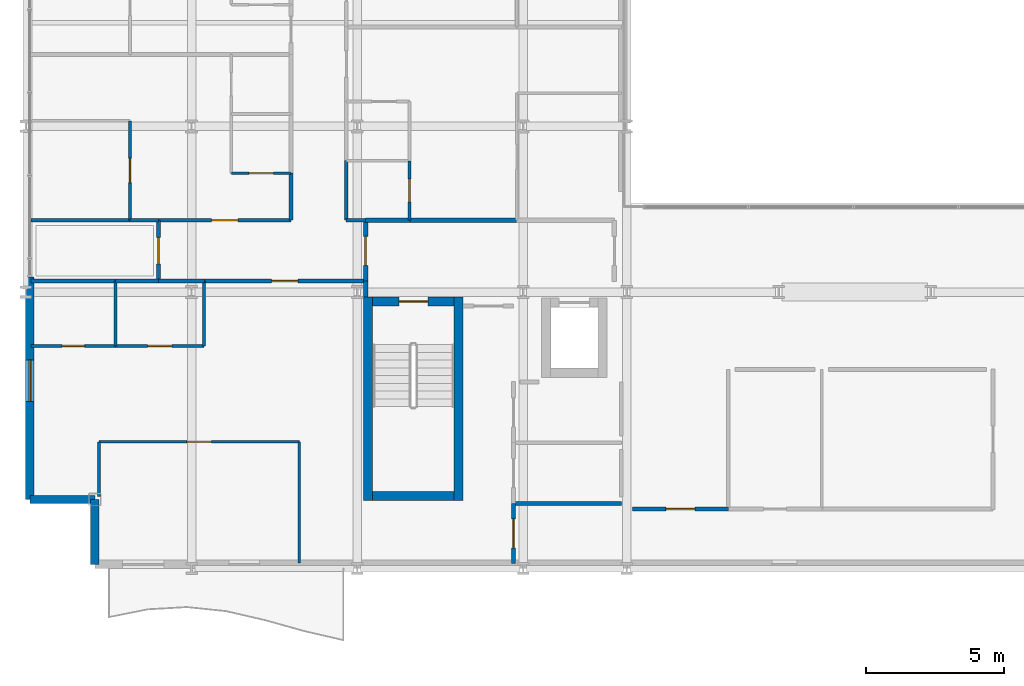
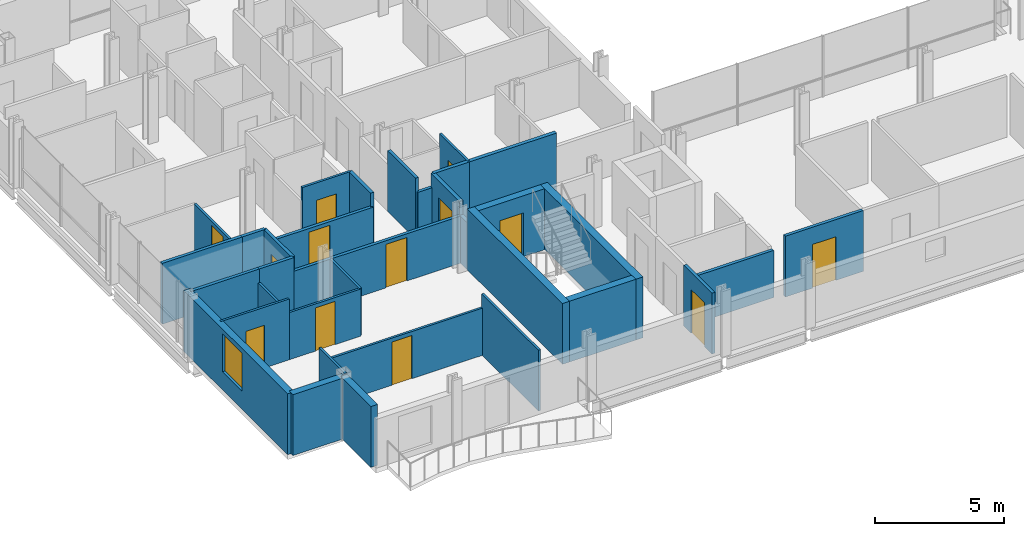
# One storey, part 31 of 40: 35 walls, 13 doors, 1 window, 14 openings.
"""IFC4 building model written with IfcOpenShell, lengths in metres."""

from ifc_helpers import new_model, si_unit, direction, frame, frame_2d, origin, place, context, subcontext, project, spatial, rectangle, extrude, material, layer, layer_set, type_object, element, fill, save


model = new_model("IFC4")

# Units and contexts
model_context = context("Model", 3, precision=1e-05, world=origin(), true_north=direction((0.0, 1.0)))
body_context = subcontext(model_context, "Body", "Model", "MODEL_VIEW")
ifc_project = project(units=[si_unit("LENGTHUNIT", "METRE"), si_unit("AREAUNIT", "SQUARE_METRE"), si_unit("VOLUMEUNIT", "CUBIC_METRE"), si_unit("PLANEANGLEUNIT", "RADIAN"), si_unit("MASSUNIT", "GRAM", prefix="KILO")], contexts=[model_context])

# Site, building, storey
site_placement = place(None, origin())
site = spatial("IfcSite", under=ifc_project, at=site_placement, CompositionType="ELEMENT")
building_placement = place(site_placement, origin())
building = spatial("IfcBuilding", under=site, at=building_placement, Name="Brevholm Reach", CompositionType="ELEMENT")
storey_placement = place(building_placement, frame((0.0, 0.0, 31.10009765625)))
storey = spatial("IfcBuildingStorey", under=building, at=storey_placement, Name="L07", CompositionType="ELEMENT", Elevation=31.10009765625)

# Walls
ifc_material_1 = material(Name="Concrete C60/75", Category="concrete")
ifc_layer_1 = layer(ifc_material_1, 0.320068359375)
ifc_layer_set_1 = layer_set([ifc_layer_1], Name="Concrete C60/75")
wall_type_1 = type_object("IfcWallType", Name="WAL-COR-320", PredefinedType="SHEAR", material=ifc_layer_set_1)
for number, where, z_axis, x_axis, name in (
    (1, (12.389892578125, 2.4599609375, 0.0), (0.0, 0.0, 1.0), (0.0, 1.0, 0.0), "L07 Escape Stair ST-1 Core Wall W"),
    (2, (15.659912109375, 2.4599609375, 0.0), (0.0, 0.0, 1.0), (0.0, 1.0, 0.0), "L07 Escape Stair ST-1 Core Wall E"),
):
    element("IfcWall", number, at=place(storey_placement, frame(where, z_axis=z_axis, x_axis=x_axis)), inside=storey, type_object=wall_type_1, Name=name, PredefinedType="SHEAR", context=body_context, shape_type="SweptSolid", body=[
        extrude(rectangle(XDim=7.360107421875, YDim=0.320068359375, at=frame_2d((3.68017578125, 0.0))), origin(), (0.0, 0.0, 1.0), 2.869873046875),
    ])
wall_1_placement = place(storey_placement, frame((12.550048828125, 2.6201171875, 0.0), z_axis=(0.0, 0.0, 1.0), x_axis=(1.0, 0.0, 0.0)))
element("IfcWall", 3, at=wall_1_placement, inside=storey, type_object=wall_type_1, Name="L07 Escape Stair ST-1 Core Wall S", PredefinedType="SHEAR", context=body_context, shape_type="SweptSolid", body=[
    extrude(rectangle(XDim=2.949951171875, YDim=0.320068359375, at=frame_2d((1.47509765625, 0.0))), origin(), (0.0, 0.0, 1.0), 2.869873046875),
])

# Wall, opening, door
wall_2_placement = place(storey_placement, frame((15.5, 9.659912109375, 0.0), z_axis=(0.0, 0.0, 1.0), x_axis=(-1.0, 0.0, 0.0)))
wall_2 = element("IfcWall", 4, at=wall_2_placement, inside=storey, type_object=wall_type_1, Name="L07 Escape Stair ST-1 Core Wall N", PredefinedType="SHEAR", context=body_context, shape_type="SweptSolid", body=[
    extrude(rectangle(XDim=2.949951171875, YDim=0.320068359375, at=frame_2d((1.47509765625, 0.0))), origin(), (0.0, 0.0, 1.0), 2.869873046875),
])
opening_1_placement = place(wall_2_placement, frame((0.949951171875, 0.0, 0.0)))
opening_1 = element("IfcOpeningElement", 5, at=opening_1_placement, cuts=wall_2, Name="Opening SD-ST-1", PredefinedType="OPENING", context=body_context, shape_type="SweptSolid", body=[
    extrude(rectangle(XDim=1.050048828125, YDim=2.06005859375, at=frame_2d((0.52490234375, 1.030029296875))), frame((0.0, 0.169921875, 0.0), z_axis=(0.0, -1.0, 0.0), x_axis=(1.0, 0.0, 0.0)), (0.0, 0.0, 1.0), 0.340087890625),
])
ifc_material_2 = material(Name="Hardwood-Lipped Steel-Core Fire and Smoke Door", Category="steel")
door_type_1 = type_object("IfcDoorType", Name="DOR-INT-FD60S", OperationType="NOTDEFINED", PredefinedType="DOOR", material=ifc_material_2)
door_1_placement = place(opening_1_placement, origin())
door_1 = element("IfcDoor", 6, at=door_1_placement, inside=storey, type_object=door_type_1, Name="L07 Protected Stair ST-1 Lobby Door", OperationType="SINGLE_SWING_LEFT", OverallHeight=2.06005859375, OverallWidth=1.050048828125, PredefinedType="DOOR", context=body_context, shape_type="SweptSolid", body=[
    extrude(rectangle(XDim=1.050048828125, YDim=2.06005859375, at=frame_2d((0.52490234375, 1.030029296875))), frame((0.0, 0.02490234375, 0.0), z_axis=(0.0, -1.0, 0.0), x_axis=(1.0, 0.0, 0.0)), (0.0, 0.0, 1.0), 0.050048828125),
])
fill(opening_1, door_1)

# Walls
ifc_material_3 = material(Name="Concrete C40/50", Category="concrete")
ifc_layer_2 = layer(ifc_material_3, 0.300048828125)
ifc_layer_set_2 = layer_set([ifc_layer_2], Name="Concrete C40/50")
wall_type_2 = type_object("IfcWallType", Name="WAL-EXT-300", PredefinedType="STANDARD", material=ifc_layer_set_2)
for number, where, z_axis, x_axis, name in (
    (7, (2.5, 2.5, 0.0), (0.0, 0.0, 1.0), (0.0, -1.0, 0.0), "L07 Facade Wall WAL-L07-CSW1"),
    (8, (0.14990234375, 2.5, 0.0), (0.0, 0.0, 1.0), (1.0, 0.0, 0.0), "L07 Facade Wall WAL-L07-CSW2"),
):
    element("IfcWall", number, at=place(storey_placement, frame(where, z_axis=z_axis, x_axis=x_axis)), inside=storey, type_object=wall_type_2, Name=name, PredefinedType="STANDARD", context=body_context, shape_type="SweptSolid", body=[
        extrude(rectangle(XDim=2.35009765625, YDim=0.300048828125, at=frame_2d((1.175048828125, 0.0))), origin(), (0.0, 0.0, 1.0), 2.869873046875),
    ])

# Wall, opening, window
wall_3_placement = place(storey_placement, frame((0.14990234375, 10.550048828125, 0.0), z_axis=(0.0, 0.0, 1.0), x_axis=(0.0, -1.0, 0.0)))
wall_3 = element("IfcWall", 9, at=wall_3_placement, inside=storey, type_object=wall_type_2, Name="L07 Facade Wall WAL-L07-W-S", PredefinedType="STANDARD", context=body_context, shape_type="SweptSolid", body=[
    extrude(rectangle(XDim=8.050048828125, YDim=0.300048828125, at=frame_2d((4.02490234375, 0.0))), origin(), (0.0, 0.0, 1.0), 2.869873046875),
])
opening_2_placement = place(wall_3_placement, frame((3.0, 0.0, 0.85009765625)))
opening_2 = element("IfcOpeningElement", 10, at=opening_2_placement, cuts=wall_3, Name="Opening WN-05", PredefinedType="OPENING", context=body_context, shape_type="SweptSolid", body=[
    extrude(rectangle(XDim=1.5, YDim=1.800048828125, at=frame_2d((0.75, 0.89990234375))), frame((0.0, 0.159912109375, 0.0), z_axis=(0.0, -1.0, 0.0), x_axis=(1.0, 0.0, 0.0)), (0.0, 0.0, 1.0), 0.320068359375),
])
ifc_material_4 = material(Name="Dark Anodised Aluminium and Solar-Control IGU Glass", Category="aluminium")
window_type = type_object("IfcWindowType", Name="WIN-RES-1500", PartitioningType="SINGLE_PANEL", PredefinedType="WINDOW", material=ifc_material_4)
window_placement = place(opening_2_placement, origin())
window = element("IfcWindow", 11, at=window_placement, inside=storey, type_object=window_type, Name="L07 Window WIN-L07-WS-1", OverallHeight=1.800048828125, OverallWidth=1.5, PartitioningType="SINGLE_PANEL", PredefinedType="WINDOW", context=body_context, shape_type="SweptSolid", body=[
    extrude(rectangle(XDim=1.5, YDim=1.800048828125, at=frame_2d((0.75, 0.89990234375))), frame((0.0, 0.030029296875, 0.0), z_axis=(0.0, -1.0, 0.0), x_axis=(1.0, 0.0, 0.0)), (0.0, 0.0, 1.0), 0.06005859375),
])
fill(opening_2, window)

# Wall
ifc_material_5 = material(Name="Moisture-Resistant Acoustic Gypsum Stud Partition 100 mm", Category="gypsum")
ifc_layer_3 = layer(ifc_material_5, 0.10009765625)
ifc_layer_set_3 = layer_set([ifc_layer_3], Name="Moisture-Resistant Acoustic Gypsum Stud Partition 100 mm")
wall_type_3 = type_object("IfcWallType", Name="WAL-PRT-100", PredefinedType="PARTITIONING", material=ifc_layer_set_3)
wall_4_placement = place(storey_placement, frame((3.25, 8.053955078125, 0.0), z_axis=(0.0, 0.0, 1.0), x_axis=(0.0, 1.0, 0.0)))
element("IfcWall", 12, at=wall_4_placement, inside=storey, type_object=wall_type_3, Name="L07 Internal Partition 070", PredefinedType="PARTITIONING", context=body_context, shape_type="SweptSolid", body=[
    extrude(rectangle(XDim=2.345947265625, YDim=0.10009765625, at=frame_2d((1.1728515625, 0.0))), origin(), (0.0, 0.0, 1.0), 2.224609375),
])

# Wall, opening, door
wall_5_placement = place(storey_placement, frame((0.199951171875, 8.053955078125, 0.0), z_axis=(0.0, 0.0, 1.0), x_axis=(1.0, 0.0, 0.0)))
wall_5 = element("IfcWall", 13, at=wall_5_placement, inside=storey, type_object=wall_type_3, Name="L07 Internal Partition 071", PredefinedType="PARTITIONING", context=body_context, shape_type="SweptSolid", body=[
    extrude(rectangle(XDim=3.050048828125, YDim=0.10009765625, at=frame_2d((1.52490234375, 0.0))), origin(), (0.0, 0.0, 1.0), 2.869873046875),
])
opening_3_placement = place(wall_5_placement, frame((1.114990234375, 0.0, 0.0)))
opening_3 = element("IfcOpeningElement", 14, at=opening_3_placement, cuts=wall_5, Name="Opening ID-03", PredefinedType="OPENING", context=body_context, shape_type="SweptSolid", body=[
    extrude(rectangle(XDim=0.820068359375, YDim=2.02001953125, at=frame_2d((0.41015625, 1.010009765625))), frame((0.0, 0.06005859375, 0.0), z_axis=(0.0, -1.0, 0.0), x_axis=(1.0, 0.0, 0.0)), (0.0, 0.0, 1.0), 0.1201171875),
])
ifc_material_6 = material(Name="Moisture-Resistant Painted Timber Internal Bathroom Door", Category="wood")
door_type_2 = type_object("IfcDoorType", Name="DOR-BATH-820", OperationType="NOTDEFINED", PredefinedType="DOOR", material=ifc_material_6)
door_2_placement = place(opening_3_placement, origin())
door_2 = element("IfcDoor", 15, at=door_2_placement, inside=storey, type_object=door_type_2, Name="L07 Internal Door 027", OperationType="SINGLE_SWING_RIGHT", OverallHeight=2.02001953125, OverallWidth=0.820068359375, PredefinedType="DOOR", context=body_context, shape_type="SweptSolid", body=[
    extrude(rectangle(XDim=0.820068359375, YDim=2.02001953125, at=frame_2d((0.41015625, 1.010009765625))), frame((0.0, 0.02490234375, 0.0), z_axis=(0.0, -1.0, 0.0), x_axis=(1.0, 0.0, 0.0)), (0.0, 0.0, 1.0), 0.050048828125),
])
fill(opening_3, door_2)

wall_6_placement = place(storey_placement, frame((3.25390625, 8.053955078125, 0.0), z_axis=(0.0, 0.0, 1.0), x_axis=(1.0, 0.0, 0.0)))
wall_6 = element("IfcWall", 16, at=wall_6_placement, inside=storey, type_object=wall_type_3, Name="L07 Internal Partition 073", PredefinedType="PARTITIONING", context=body_context, shape_type="SweptSolid", body=[
    extrude(rectangle(XDim=3.196044921875, YDim=0.10009765625, at=frame_2d((1.59814453125, 0.0))), origin(), (0.0, 0.0, 1.0), 2.224609375),
])
opening_4_placement = place(wall_6_placement, frame((1.157958984375, 0.0, 0.0)))
opening_4 = element("IfcOpeningElement", 17, at=opening_4_placement, cuts=wall_6, Name="Opening ID-01", PredefinedType="OPENING", context=body_context, shape_type="SweptSolid", body=[
    extrude(rectangle(XDim=0.8798828125, YDim=2.0400390625, at=frame_2d((0.43994140625, 1.02001953125))), frame((0.0, 0.06005859375, 0.0), z_axis=(0.0, -1.0, 0.0), x_axis=(1.0, 0.0, 0.0)), (0.0, 0.0, 1.0), 0.1201171875),
])
ifc_material_7 = material(Name="Lacquered Ash Solid-Core Acoustic Internal Door", Category="timber")
door_type_3 = type_object("IfcDoorType", Name="DOR-INT-880", OperationType="NOTDEFINED", PredefinedType="DOOR", material=ifc_material_7)
door_3_placement = place(opening_4_placement, origin())
door_3 = element("IfcDoor", 18, at=door_3_placement, inside=storey, type_object=door_type_3, Name="L07 Internal Door 028", OperationType="SINGLE_SWING_LEFT", OverallHeight=2.0400390625, OverallWidth=0.8798828125, PredefinedType="DOOR", context=body_context, shape_type="SweptSolid", body=[
    extrude(rectangle(XDim=0.8798828125, YDim=2.0400390625, at=frame_2d((0.43994140625, 1.02001953125))), frame((0.0, 0.02490234375, 0.0), z_axis=(0.0, -1.0, 0.0), x_axis=(1.0, 0.0, 0.0)), (0.0, 0.0, 1.0), 0.050048828125),
])
fill(opening_4, door_3)

# Walls
wall_7_placement = place(storey_placement, frame((6.449951171875, 8.053955078125, 0.0), z_axis=(0.0, 0.0, 1.0), x_axis=(0.0, 1.0, 0.0)))
element("IfcWall", 19, at=wall_7_placement, inside=storey, type_object=wall_type_3, Name="L07 Internal Partition 074", PredefinedType="PARTITIONING", context=body_context, shape_type="SweptSolid", body=[
    extrude(rectangle(XDim=2.342041015625, YDim=0.10009765625, at=frame_2d((1.1708984375, 0.0))), origin(), (0.0, 0.0, 1.0), 2.224609375),
])
wall_8_placement = place(storey_placement, frame((2.64990234375, 2.599365234375, 0.0), z_axis=(0.0, 0.0, 1.0), x_axis=(0.0, 1.0, 0.0)))
element("IfcWall", 20, at=wall_8_placement, inside=storey, type_object=wall_type_3, Name="L07 Internal Partition 076", PredefinedType="PARTITIONING", context=body_context, shape_type="SweptSolid", body=[
    extrude(rectangle(XDim=1.986572265625, YDim=0.10009765625, at=frame_2d((0.9931640625, 0.0))), origin(), (0.0, 0.0, 1.0), 2.869873046875),
])
wall_9_placement = place(storey_placement, frame((9.89990234375, 0.199951171875, 0.0), z_axis=(0.0, 0.0, 1.0), x_axis=(0.0, 1.0, 0.0)))
element("IfcWall", 21, at=wall_9_placement, inside=storey, type_object=wall_type_3, Name="L07 Internal Partition 077", PredefinedType="PARTITIONING", context=body_context, shape_type="SweptSolid", body=[
    extrude(rectangle(XDim=4.385986328125, YDim=0.10009765625, at=frame_2d((2.19287109375, 0.0))), origin(), (0.0, 0.0, 1.0), 2.869873046875),
])

# Wall, opening, door
wall_10_placement = place(storey_placement, frame((2.64990234375, 4.5859375, 0.0), z_axis=(0.0, 0.0, 1.0), x_axis=(1.0, 0.0, 0.0)))
wall_10 = element("IfcWall", 22, at=wall_10_placement, inside=storey, type_object=wall_type_3, Name="L07 Internal Partition 078", PredefinedType="PARTITIONING", context=body_context, shape_type="SweptSolid", body=[
    extrude(rectangle(XDim=7.25, YDim=0.10009765625, at=frame_2d((3.625, 0.0))), origin(), (0.0, 0.0, 1.0), 2.224609375),
])
opening_5_placement = place(wall_10_placement, frame((3.18505859375, 0.0, 0.0)))
opening_5 = element("IfcOpeningElement", 23, at=opening_5_placement, cuts=wall_10, Name="Opening ID-01", PredefinedType="OPENING", context=body_context, shape_type="SweptSolid", body=[
    extrude(rectangle(XDim=0.8798828125, YDim=2.0400390625, at=frame_2d((0.43994140625, 1.02001953125))), frame((0.0, 0.06005859375, 0.0), z_axis=(0.0, -1.0, 0.0), x_axis=(1.0, 0.0, 0.0)), (0.0, 0.0, 1.0), 0.1201171875),
])
door_4_placement = place(opening_5_placement, origin())
door_4 = element("IfcDoor", 24, at=door_4_placement, inside=storey, type_object=door_type_3, Name="L07 Internal Door 029", OperationType="SINGLE_SWING_RIGHT", OverallHeight=2.0400390625, OverallWidth=0.8798828125, PredefinedType="DOOR", context=body_context, shape_type="SweptSolid", body=[
    extrude(rectangle(XDim=0.8798828125, YDim=2.0400390625, at=frame_2d((0.43994140625, 1.02001953125))), frame((0.0, 0.02490234375, 0.0), z_axis=(0.0, -1.0, 0.0), x_axis=(1.0, 0.0, 0.0)), (0.0, 0.0, 1.0), 0.050048828125),
])
fill(opening_5, door_4)

wall_11_placement = place(storey_placement, frame((7.43798828125, 14.300048828125, 0.0), z_axis=(0.0, 0.0, 1.0), x_axis=(1.0, 0.0, 0.0)))
wall_11 = element("IfcWall", 25, at=wall_11_placement, inside=storey, type_object=wall_type_3, Name="L07 Internal Partition 094", PredefinedType="PARTITIONING", context=body_context, shape_type="SweptSolid", body=[
    extrude(rectangle(XDim=2.157958984375, YDim=0.10009765625, at=frame_2d((1.0791015625, 0.0))), origin(), (0.0, 0.0, 1.0), 2.869873046875),
])
opening_6_placement = place(wall_11_placement, frame((0.638916015625, 0.0, 0.0)))
opening_6 = element("IfcOpeningElement", 26, at=opening_6_placement, cuts=wall_11, Name="Opening ID-01", PredefinedType="OPENING", context=body_context, shape_type="SweptSolid", body=[
    extrude(rectangle(XDim=0.8798828125, YDim=2.0400390625, at=frame_2d((0.43994140625, 1.02001953125))), frame((0.0, 0.06005859375, 0.0), z_axis=(0.0, -1.0, 0.0), x_axis=(1.0, 0.0, 0.0)), (0.0, 0.0, 1.0), 0.1201171875),
])
door_5_placement = place(opening_6_placement, origin())
door_5 = element("IfcDoor", 27, at=door_5_placement, inside=storey, type_object=door_type_3, Name="L07 Internal Door 034", OperationType="SINGLE_SWING_LEFT", OverallHeight=2.0400390625, OverallWidth=0.8798828125, PredefinedType="DOOR", context=body_context, shape_type="SweptSolid", body=[
    extrude(rectangle(XDim=0.8798828125, YDim=2.0400390625, at=frame_2d((0.43994140625, 1.02001953125))), frame((0.0, 0.02490234375, 0.0), z_axis=(0.0, -1.0, 0.0), x_axis=(1.0, 0.0, 0.0)), (0.0, 0.0, 1.0), 0.050048828125),
])
fill(opening_6, door_5)

wall_12_placement = place(storey_placement, frame((3.77197265625, 12.60400390625, 0.0), z_axis=(0.0, 0.0, 1.0), x_axis=(0.0, 1.0, 0.0)))
wall_12 = element("IfcWall", 28, at=wall_12_placement, inside=storey, type_object=wall_type_3, Name="L07 Internal Partition 096", PredefinedType="PARTITIONING", context=body_context, shape_type="SweptSolid", body=[
    extrude(rectangle(XDim=3.595947265625, YDim=0.10009765625, at=frame_2d((1.7978515625, 0.0))), origin(), (0.0, 0.0, 1.0), 2.224609375),
])
opening_7_placement = place(wall_12_placement, frame((1.35791015625, 0.0, 0.0)))
opening_7 = element("IfcOpeningElement", 29, at=opening_7_placement, cuts=wall_12, Name="Opening ID-01", PredefinedType="OPENING", context=body_context, shape_type="SweptSolid", body=[
    extrude(rectangle(XDim=0.8798828125, YDim=2.0400390625, at=frame_2d((0.43994140625, 1.02001953125))), frame((0.0, 0.06005859375, 0.0), z_axis=(0.0, -1.0, 0.0), x_axis=(1.0, 0.0, 0.0)), (0.0, 0.0, 1.0), 0.1201171875),
])
door_6_placement = place(opening_7_placement, origin())
door_6 = element("IfcDoor", 30, at=door_6_placement, inside=storey, type_object=door_type_3, Name="L07 Internal Door 035", OperationType="SINGLE_SWING_RIGHT", OverallHeight=2.0400390625, OverallWidth=0.8798828125, PredefinedType="DOOR", context=body_context, shape_type="SweptSolid", body=[
    extrude(rectangle(XDim=0.8798828125, YDim=2.0400390625, at=frame_2d((0.43994140625, 1.02001953125))), frame((0.0, 0.02490234375, 0.0), z_axis=(0.0, -1.0, 0.0), x_axis=(1.0, 0.0, 0.0)), (0.0, 0.0, 1.0), 0.050048828125),
])
fill(opening_7, door_6)

wall_13_placement = place(storey_placement, frame((13.888916015625, 12.60400390625, 0.0), z_axis=(0.0, 0.0, 1.0), x_axis=(0.0, 1.0, 0.0)))
wall_13 = element("IfcWall", 31, at=wall_13_placement, inside=storey, type_object=wall_type_3, Name="L07 Internal Partition 116", PredefinedType="PARTITIONING", context=body_context, shape_type="SweptSolid", body=[
    extrude(rectangle(XDim=2.14599609375, YDim=0.10009765625, at=frame_2d((1.072998046875, 0.0))), origin(), (0.0, 0.0, 1.0), 2.869873046875),
])
opening_8_placement = place(wall_13_placement, frame((0.6630859375, 0.0, 0.0)))
opening_8 = element("IfcOpeningElement", 32, at=opening_8_placement, cuts=wall_13, Name="Opening ID-03", PredefinedType="OPENING", context=body_context, shape_type="SweptSolid", body=[
    extrude(rectangle(XDim=0.820068359375, YDim=2.02001953125, at=frame_2d((0.41015625, 1.010009765625))), frame((0.0, 0.06005859375, 0.0), z_axis=(0.0, -1.0, 0.0), x_axis=(1.0, 0.0, 0.0)), (0.0, 0.0, 1.0), 0.1201171875),
])
door_7_placement = place(opening_8_placement, origin())
door_7 = element("IfcDoor", 33, at=door_7_placement, inside=storey, type_object=door_type_2, Name="L07 Internal Door 042", OperationType="SINGLE_SWING_LEFT", OverallHeight=2.02001953125, OverallWidth=0.820068359375, PredefinedType="DOOR", context=body_context, shape_type="SweptSolid", body=[
    extrude(rectangle(XDim=0.820068359375, YDim=2.02001953125, at=frame_2d((0.41015625, 1.010009765625))), frame((0.0, 0.02490234375, 0.0), z_axis=(0.0, -1.0, 0.0), x_axis=(1.0, 0.0, 0.0)), (0.0, 0.0, 1.0), 0.050048828125),
])
fill(opening_8, door_7)

ifc_material_8 = material(Name="Twin-Stud Acoustic Fire-Rated Gypsum Partition 140 mm", Category="gypsum")
ifc_layer_4 = layer(ifc_material_8, 0.139892578125)
ifc_layer_set_4 = layer_set([ifc_layer_4], Name="Twin-Stud Acoustic Fire-Rated Gypsum Partition 140 mm")
wall_type_4 = type_object("IfcWallType", Name="WAL-PRT-140", PredefinedType="PARTITIONING", material=ifc_layer_set_4)
wall_14_placement = place(storey_placement, frame((21.949951171875, 2.14990234375, 0.0), z_axis=(0.0, 0.0, 1.0), x_axis=(1.0, 0.0, 0.0)))
wall_14 = element("IfcWall", 34, at=wall_14_placement, inside=storey, type_object=wall_type_4, Name="L07 Internal Partition 002", PredefinedType="PARTITIONING", context=body_context, shape_type="SweptSolid", body=[
    extrude(rectangle(XDim=3.4814453125, YDim=0.139892578125, at=frame_2d((1.74072265625, 0.0))), origin(), (0.0, 0.0, 1.0), 2.869873046875),
])
opening_9_placement = place(wall_14_placement, frame((1.2158203125, 0.0, 0.0)))
opening_9 = element("IfcOpeningElement", 35, at=opening_9_placement, cuts=wall_14, Name="Opening FD-01", PredefinedType="OPENING", context=body_context, shape_type="SweptSolid", body=[
    extrude(rectangle(XDim=1.050048828125, YDim=2.06005859375, at=frame_2d((0.52490234375, 1.030029296875))), frame((0.0, 0.079833984375, 0.0), z_axis=(0.0, -1.0, 0.0), x_axis=(1.0, 0.0, 0.0)), (0.0, 0.0, 1.0), 0.159912109375),
])
door_8_placement = place(opening_9_placement, origin())
door_8 = element("IfcDoor", 36, at=door_8_placement, inside=storey, type_object=door_type_1, Name="L07 Internal Door 002", OperationType="SINGLE_SWING_LEFT", OverallHeight=2.06005859375, OverallWidth=1.050048828125, PredefinedType="DOOR", context=body_context, shape_type="SweptSolid", body=[
    extrude(rectangle(XDim=1.050048828125, YDim=2.06005859375, at=frame_2d((0.52490234375, 1.030029296875))), frame((0.0, 0.02490234375, 0.0), z_axis=(0.0, -1.0, 0.0), x_axis=(1.0, 0.0, 0.0)), (0.0, 0.0, 1.0), 0.050048828125),
])
fill(opening_9, door_8)

wall_15_placement = place(storey_placement, frame((17.64990234375, 0.179931640625, 0.0), z_axis=(0.0, 0.0, 1.0), x_axis=(0.0, 1.0, 0.0)))
wall_15 = element("IfcWall", 37, at=wall_15_placement, inside=storey, type_object=wall_type_4, Name="L07 Internal Partition 007", PredefinedType="PARTITIONING", context=body_context, shape_type="SweptSolid", body=[
    extrude(rectangle(XDim=2.181396484375, YDim=0.139892578125, at=frame_2d((1.0908203125, 0.0))), origin(), (0.0, 0.0, 1.0), 2.869873046875),
])
opening_10_placement = place(wall_15_placement, frame((0.565673828125, 0.0, 0.0)))
opening_10 = element("IfcOpeningElement", 38, at=opening_10_placement, cuts=wall_15, Name="Opening FD-01", PredefinedType="OPENING", context=body_context, shape_type="SweptSolid", body=[
    extrude(rectangle(XDim=1.050048828125, YDim=2.06005859375, at=frame_2d((0.52490234375, 1.030029296875))), frame((0.0, 0.079833984375, 0.0), z_axis=(0.0, -1.0, 0.0), x_axis=(1.0, 0.0, 0.0)), (0.0, 0.0, 1.0), 0.159912109375),
])
door_9_placement = place(opening_10_placement, origin())
door_9 = element("IfcDoor", 39, at=door_9_placement, inside=storey, type_object=door_type_1, Name="L07 Internal Door 004", OperationType="SINGLE_SWING_LEFT", OverallHeight=2.06005859375, OverallWidth=1.050048828125, PredefinedType="DOOR", context=body_context, shape_type="SweptSolid", body=[
    extrude(rectangle(XDim=1.050048828125, YDim=2.06005859375, at=frame_2d((0.52490234375, 1.030029296875))), frame((0.0, 0.02490234375, 0.0), z_axis=(0.0, -1.0, 0.0), x_axis=(1.0, 0.0, 0.0)), (0.0, 0.0, 1.0), 0.050048828125),
])
fill(opening_10, door_9)

# Walls
wall_16_placement = place(storey_placement, frame((17.654052734375, 2.35009765625, 0.0), z_axis=(0.0, 0.0, 1.0), x_axis=(1.0, 0.0, 0.0)))
element("IfcWall", 40, at=wall_16_placement, inside=storey, type_object=wall_type_4, Name="L07 Internal Partition 011", PredefinedType="PARTITIONING", context=body_context, shape_type="SweptSolid", body=[
    extrude(rectangle(XDim=3.89599609375, YDim=0.139892578125, at=frame_2d((1.947998046875, 0.0))), origin(), (0.0, 0.0, 1.0), 2.224609375),
])
wall_17_placement = place(storey_placement, frame((4.800048828125, 10.39990234375, 0.0), z_axis=(0.0, 0.0, 1.0), x_axis=(1.0, 0.0, 0.0)))
element("IfcWall", 41, at=wall_17_placement, inside=storey, type_object=wall_type_4, Name="L07 Internal Partition 027", PredefinedType="PARTITIONING", context=body_context, shape_type="SweptSolid", body=[
    extrude(rectangle(XDim=1.6611328125, YDim=0.139892578125, at=frame_2d((0.83056640625, 0.0))), origin(), (0.0, 0.0, 1.0), 2.224609375),
])

# Wall, opening, door
wall_18_placement = place(storey_placement, frame((6.442626953125, 10.39990234375, 0.0), z_axis=(0.0, 0.0, 1.0), x_axis=(1.0, 0.0, 0.0)))
wall_18 = element("IfcWall", 42, at=wall_18_placement, inside=storey, type_object=wall_type_4, Name="L07 Internal Partition 028", PredefinedType="PARTITIONING", context=body_context, shape_type="SweptSolid", body=[
    extrude(rectangle(XDim=5.853271484375, YDim=0.139892578125, at=frame_2d((2.9267578125, 0.0))), origin(), (0.0, 0.0, 1.0), 2.224609375),
])
opening_11_placement = place(wall_18_placement, frame((2.45166015625, 0.0, 0.0)))
opening_11 = element("IfcOpeningElement", 43, at=opening_11_placement, cuts=wall_18, Name="Opening ID-30", PredefinedType="OPENING", context=body_context, shape_type="SweptSolid", body=[
    extrude(rectangle(XDim=0.949951171875, YDim=2.050048828125, at=frame_2d((0.47509765625, 1.02490234375))), frame((0.0, 0.079833984375, 0.0), z_axis=(0.0, -1.0, 0.0), x_axis=(1.0, 0.0, 0.0)), (0.0, 0.0, 1.0), 0.159912109375),
])
ifc_material_9 = material(Name="European Oak Veneered Solid-Core Fire Entrance Door", Category="timber")
door_type_4 = type_object("IfcDoorType", Name="DOR-FLT-FD30S", OperationType="NOTDEFINED", PredefinedType="DOOR", material=ifc_material_9)
door_10_placement = place(opening_11_placement, origin())
door_10 = element("IfcDoor", 44, at=door_10_placement, inside=storey, type_object=door_type_4, Name="L07 Internal Door 015", OperationType="SINGLE_SWING_RIGHT", OverallHeight=2.050048828125, OverallWidth=0.949951171875, PredefinedType="DOOR", context=body_context, shape_type="SweptSolid", body=[
    extrude(rectangle(XDim=0.949951171875, YDim=2.050048828125, at=frame_2d((0.47509765625, 1.02490234375))), frame((0.0, 0.02490234375, 0.0), z_axis=(0.0, -1.0, 0.0), x_axis=(1.0, 0.0, 0.0)), (0.0, 0.0, 1.0), 0.050048828125),
])
fill(opening_11, door_10)

wall_19_placement = place(storey_placement, frame((4.800048828125, 10.39990234375, 0.0), z_axis=(0.0, 0.0, 1.0), x_axis=(0.0, 1.0, 0.0)))
wall_19 = element("IfcWall", 45, at=wall_19_placement, inside=storey, type_object=wall_type_4, Name="L07 Internal Partition 029", PredefinedType="PARTITIONING", context=body_context, shape_type="SweptSolid", body=[
    extrude(rectangle(XDim=2.2001953125, YDim=0.139892578125, at=frame_2d((1.10009765625, 0.0))), origin(), (0.0, 0.0, 1.0), 2.869873046875),
])
opening_12_placement = place(wall_19_placement, frame((0.625, 0.0, 0.0)))
opening_12 = element("IfcOpeningElement", 46, at=opening_12_placement, cuts=wall_19, Name="Opening ID-30", PredefinedType="OPENING", context=body_context, shape_type="SweptSolid", body=[
    extrude(rectangle(XDim=0.949951171875, YDim=2.050048828125, at=frame_2d((0.47509765625, 1.02490234375))), frame((0.0, 0.079833984375, 0.0), z_axis=(0.0, -1.0, 0.0), x_axis=(1.0, 0.0, 0.0)), (0.0, 0.0, 1.0), 0.159912109375),
])
door_11_placement = place(opening_12_placement, origin())
door_11 = element("IfcDoor", 47, at=door_11_placement, inside=storey, type_object=door_type_4, Name="L07 Internal Door 016", OperationType="SINGLE_SWING_LEFT", OverallHeight=2.050048828125, OverallWidth=0.949951171875, PredefinedType="DOOR", context=body_context, shape_type="SweptSolid", body=[
    extrude(rectangle(XDim=0.949951171875, YDim=2.050048828125, at=frame_2d((0.47509765625, 1.02490234375))), frame((0.0, 0.02490234375, 0.0), z_axis=(0.0, -1.0, 0.0), x_axis=(1.0, 0.0, 0.0)), (0.0, 0.0, 1.0), 0.050048828125),
])
fill(opening_12, door_11)

wall_20_placement = place(storey_placement, frame((4.800048828125, 12.60009765625, 0.0), z_axis=(0.0, 0.0, 1.0), x_axis=(1.0, 0.0, 0.0)))
wall_20 = element("IfcWall", 48, at=wall_20_placement, inside=storey, type_object=wall_type_4, Name="L07 Internal Partition 030", PredefinedType="PARTITIONING", context=body_context, shape_type="SweptSolid", body=[
    extrude(rectangle(XDim=4.807373046875, YDim=0.139892578125, at=frame_2d((2.40380859375, 0.0))), origin(), (0.0, 0.0, 1.0), 2.224609375),
])
opening_13_placement = place(wall_20_placement, frame((1.9287109375, 0.0, 0.0)))
opening_13 = element("IfcOpeningElement", 49, at=opening_13_placement, cuts=wall_20, Name="Opening ID-30", PredefinedType="OPENING", context=body_context, shape_type="SweptSolid", body=[
    extrude(rectangle(XDim=0.949951171875, YDim=2.050048828125, at=frame_2d((0.47509765625, 1.02490234375))), frame((0.0, 0.079833984375, 0.0), z_axis=(0.0, -1.0, 0.0), x_axis=(1.0, 0.0, 0.0)), (0.0, 0.0, 1.0), 0.159912109375),
])
door_12_placement = place(opening_13_placement, origin())
door_12 = element("IfcDoor", 50, at=door_12_placement, inside=storey, type_object=door_type_4, Name="L07 Internal Door 017", OperationType="SINGLE_SWING_RIGHT", OverallHeight=2.050048828125, OverallWidth=0.949951171875, PredefinedType="DOOR", context=body_context, shape_type="SweptSolid", body=[
    extrude(rectangle(XDim=0.949951171875, YDim=2.050048828125, at=frame_2d((0.47509765625, 1.02490234375))), frame((0.0, 0.02490234375, 0.0), z_axis=(0.0, -1.0, 0.0), x_axis=(1.0, 0.0, 0.0)), (0.0, 0.0, 1.0), 0.050048828125),
])
fill(opening_13, door_12)

# Walls
wall_21_placement = place(storey_placement, frame((11.5927734375, 12.60009765625, 0.0), z_axis=(0.0, 0.0, 1.0), x_axis=(1.0, 0.0, 0.0)))
element("IfcWall", 51, at=wall_21_placement, inside=storey, type_object=wall_type_4, Name="L07 Internal Partition 031", PredefinedType="PARTITIONING", context=body_context, shape_type="SweptSolid", body=[
    extrude(rectangle(XDim=0.703125, YDim=0.139892578125, at=frame_2d((0.3515625, 0.0))), origin(), (0.0, 0.0, 1.0), 2.224609375),
])
wall_22_placement = place(storey_placement, frame((9.60009765625, 12.60400390625, 0.0), z_axis=(0.0, 0.0, 1.0), x_axis=(0.0, 1.0, 0.0)))
element("IfcWall", 52, at=wall_22_placement, inside=storey, type_object=wall_type_4, Name="L07 Internal Partition 037", PredefinedType="PARTITIONING", context=body_context, shape_type="SweptSolid", body=[
    extrude(rectangle(XDim=1.703369140625, YDim=0.139892578125, at=frame_2d((0.8515625, 0.0))), origin(), (0.0, 0.0, 1.0), 2.869873046875),
])
wall_23_placement = place(storey_placement, frame((11.60009765625, 12.60400390625, 0.0), z_axis=(0.0, 0.0, 1.0), x_axis=(0.0, 1.0, 0.0)))
element("IfcWall", 53, at=wall_23_placement, inside=storey, type_object=wall_type_4, Name="L07 Internal Partition 044", PredefinedType="PARTITIONING", context=body_context, shape_type="SweptSolid", body=[
    extrude(rectangle(XDim=2.1572265625, YDim=0.139892578125, at=frame_2d((1.07861328125, 0.0))), origin(), (0.0, 0.0, 1.0), 2.869873046875),
])
wall_24_placement = place(storey_placement, frame((0.199951171875, 10.39990234375, 0.0), z_axis=(0.0, 0.0, 1.0), x_axis=(1.0, 0.0, 0.0)))
element("IfcWall", 54, at=wall_24_placement, inside=storey, type_object=wall_type_4, Name="L07 Internal Partition 072", PredefinedType="PARTITIONING", context=body_context, shape_type="SweptSolid", body=[
    extrude(rectangle(XDim=3.050048828125, YDim=0.139892578125, at=frame_2d((1.52490234375, 0.0))), origin(), (0.0, 0.0, 1.0), 2.869873046875),
])
wall_25_placement = place(storey_placement, frame((3.25390625, 10.39990234375, 0.0), z_axis=(0.0, 0.0, 1.0), x_axis=(1.0, 0.0, 0.0)))
element("IfcWall", 55, at=wall_25_placement, inside=storey, type_object=wall_type_4, Name="L07 Internal Partition 075", PredefinedType="PARTITIONING", context=body_context, shape_type="SweptSolid", body=[
    extrude(rectangle(XDim=1.5419921875, YDim=0.139892578125, at=frame_2d((0.77099609375, 0.0))), origin(), (0.0, 0.0, 1.0), 2.869873046875),
])
wall_26_placement = place(storey_placement, frame((0.199951171875, 12.60009765625, 0.0), z_axis=(0.0, 0.0, 1.0), x_axis=(1.0, 0.0, 0.0)))
element("IfcWall", 56, at=wall_26_placement, inside=storey, type_object=wall_type_4, Name="L07 Internal Partition 079", PredefinedType="PARTITIONING", context=body_context, shape_type="SweptSolid", body=[
    extrude(rectangle(XDim=3.583251953125, YDim=0.139892578125, at=frame_2d((1.79150390625, 0.0))), origin(), (0.0, 0.0, 1.0), 2.869873046875),
])
wall_27_placement = place(storey_placement, frame((3.7646484375, 12.60009765625, 0.0), z_axis=(0.0, 0.0, 1.0), x_axis=(1.0, 0.0, 0.0)))
element("IfcWall", 57, at=wall_27_placement, inside=storey, type_object=wall_type_4, Name="L07 Internal Partition 080", PredefinedType="PARTITIONING", context=body_context, shape_type="SweptSolid", body=[
    extrude(rectangle(XDim=1.03125, YDim=0.139892578125, at=frame_2d((0.515625, 0.0))), origin(), (0.0, 0.0, 1.0), 2.869873046875),
])

# Wall, opening, door
ifc_material_10 = material(Name="Twin-Frame Fire-Rated Gypsum Board and Mineral Wool 160 mm", Category="gypsum")
ifc_layer_5 = layer(ifc_material_10, 0.159912109375)
ifc_layer_set_5 = layer_set([ifc_layer_5], Name="Twin-Frame Fire-Rated Gypsum Board and Mineral Wool 160 mm")
wall_type_5 = type_object("IfcWallType", Name="WAL-PRT-160", PredefinedType="PARTITIONING", material=ifc_layer_set_5)
wall_28_placement = place(storey_placement, frame((12.300048828125, 10.388671875, 0.0), z_axis=(0.0, 0.0, 1.0), x_axis=(0.0, 1.0, 0.0)))
wall_28 = element("IfcWall", 58, at=wall_28_placement, inside=storey, type_object=wall_type_5, Name="L07 Internal Partition 017", PredefinedType="PARTITIONING", context=body_context, shape_type="SweptSolid", body=[
    extrude(rectangle(XDim=2.21142578125, YDim=0.159912109375, at=frame_2d((1.105712890625, 0.0))), origin(), (0.0, 0.0, 1.0), 2.869873046875),
])
opening_14_placement = place(wall_28_placement, frame((0.58056640625, 0.0, 0.0)))
opening_14 = element("IfcOpeningElement", 59, at=opening_14_placement, cuts=wall_28, Name="Opening FD-01", PredefinedType="OPENING", context=body_context, shape_type="SweptSolid", body=[
    extrude(rectangle(XDim=1.050048828125, YDim=2.06005859375, at=frame_2d((0.52490234375, 1.030029296875))), frame((0.0, 0.08984375, 0.0), z_axis=(0.0, -1.0, 0.0), x_axis=(1.0, 0.0, 0.0)), (0.0, 0.0, 1.0), 0.179931640625),
])
door_13_placement = place(opening_14_placement, origin())
door_13 = element("IfcDoor", 60, at=door_13_placement, inside=storey, type_object=door_type_1, Name="L07 Internal Door 011", OperationType="SINGLE_SWING_RIGHT", OverallHeight=2.06005859375, OverallWidth=1.050048828125, PredefinedType="DOOR", context=body_context, shape_type="SweptSolid", body=[
    extrude(rectangle(XDim=1.050048828125, YDim=2.06005859375, at=frame_2d((0.52490234375, 1.030029296875))), frame((0.0, 0.02490234375, 0.0), z_axis=(0.0, -1.0, 0.0), x_axis=(1.0, 0.0, 0.0)), (0.0, 0.0, 1.0), 0.050048828125),
])
fill(opening_14, door_13)

# Walls
wall_29_placement = place(storey_placement, frame((12.300048828125, 9.830078125, 0.0), z_axis=(0.0, 0.0, 1.0), x_axis=(0.0, 1.0, 0.0)))
element("IfcWall", 61, at=wall_29_placement, inside=storey, type_object=wall_type_5, Name="L07 Internal Partition 019", PredefinedType="PARTITIONING", context=body_context, shape_type="SweptSolid", body=[
    extrude(rectangle(XDim=0.5771484375, YDim=0.159912109375, at=frame_2d((0.28857421875, 0.0))), origin(), (0.0, 0.0, 1.0), 2.224609375),
])
wall_30_placement = place(storey_placement, frame((12.300048828125, 12.60009765625, 0.0), z_axis=(0.0, 0.0, 1.0), x_axis=(1.0, 0.0, 0.0)))
element("IfcWall", 62, at=wall_30_placement, inside=storey, type_object=wall_type_5, Name="L07 Internal Partition 020", PredefinedType="PARTITIONING", context=body_context, shape_type="SweptSolid", body=[
    extrude(rectangle(XDim=1.600341796875, YDim=0.159912109375, at=frame_2d((0.80029296875, 0.0))), origin(), (0.0, 0.0, 1.0), 2.869873046875),
])
wall_31_placement = place(storey_placement, frame((13.881591796875, 12.60009765625, 0.0), z_axis=(0.0, 0.0, 1.0), x_axis=(1.0, 0.0, 0.0)))
element("IfcWall", 63, at=wall_31_placement, inside=storey, type_object=wall_type_5, Name="L07 Internal Partition 022", PredefinedType="PARTITIONING", context=body_context, shape_type="SweptSolid", body=[
    extrude(rectangle(XDim=3.894775390625, YDim=0.159912109375, at=frame_2d((1.947265625, 0.0))), origin(), (0.0, 0.0, 1.0), 2.869873046875),
])

save(model, "model.ifc")
